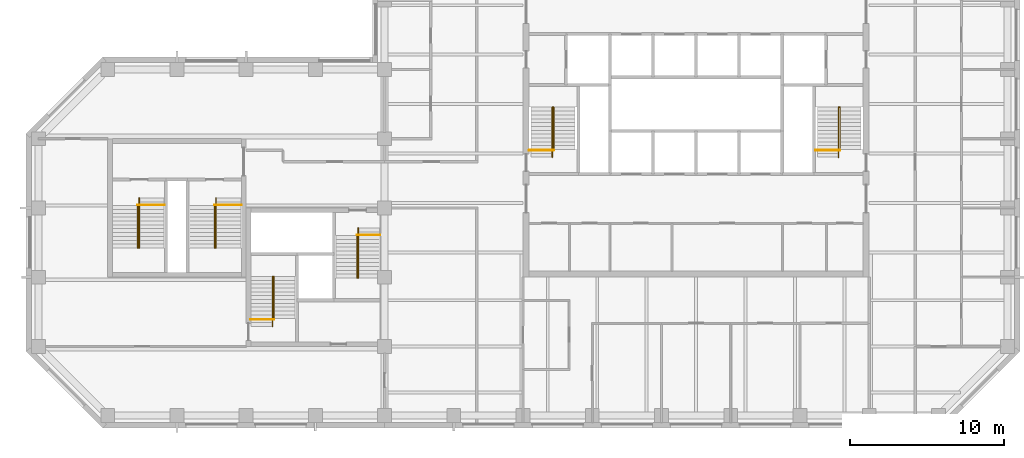
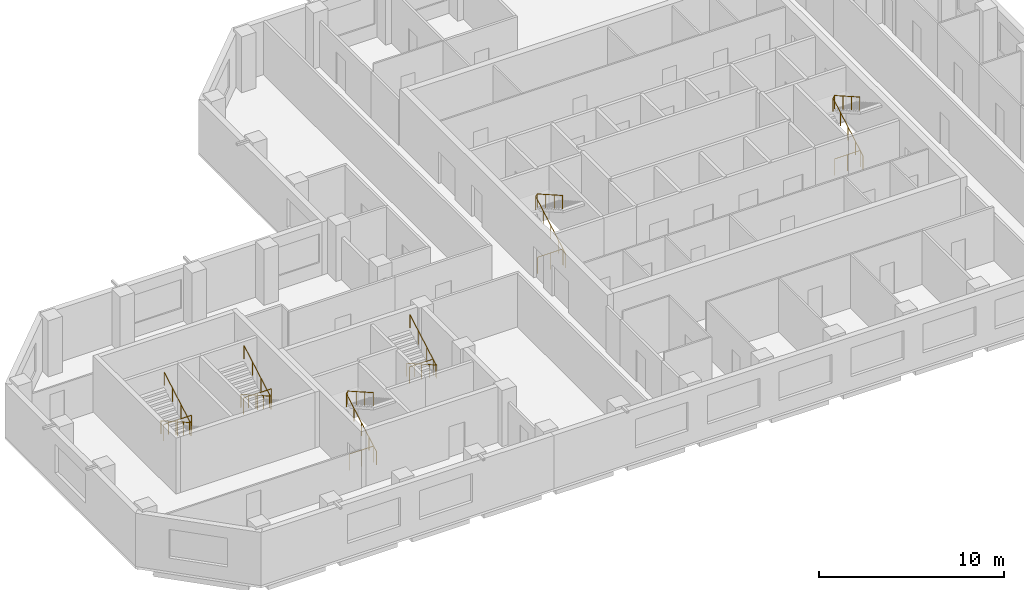
# One storey, part 9 of 9: 12 railings.
"""IFC4 building model written with IfcOpenShell, lengths in metres."""

from ifc_helpers import new_model, si_unit, direction, frame, origin, origin_2d, place, context, subcontext, project, spatial, circle, extrude, material, type_object, element, save


model = new_model("IFC4")

# Units and contexts
model_context = context("Model", 3, precision=1e-05, world=origin(), true_north=direction((0.0, 1.0)))
body_context = subcontext(model_context, "Body", "Model", "MODEL_VIEW")
ifc_project = project(units=[si_unit("LENGTHUNIT", "METRE"), si_unit("AREAUNIT", "SQUARE_METRE"), si_unit("VOLUMEUNIT", "CUBIC_METRE"), si_unit("PLANEANGLEUNIT", "RADIAN"), si_unit("MASSUNIT", "GRAM", prefix="KILO")], contexts=[model_context])

# Site, building, storey
site_placement = place(None, origin())
site = spatial("IfcSite", under=ifc_project, at=site_placement, CompositionType="ELEMENT")
building_placement = place(site_placement, origin())
building = spatial("IfcBuilding", under=site, at=building_placement, Name="Quoin Convention Tower", CompositionType="ELEMENT")
storey_placement = place(building_placement, frame((0.0, 0.0, 199.5)))
storey = spatial("IfcBuildingStorey", under=building, at=storey_placement, Name="L52", CompositionType="ELEMENT", Elevation=199.5)

# Railings
ifc_material = material(Name="Stainless steel", Category="steel")
railing_type_1 = type_object("IfcRailingType", Name="Stair handrail 900", PredefinedType="HANDRAIL", material=ifc_material)
railing_1_placement = place(storey_placement, frame((46.905029296875, 57.300048828125, 0.142333984375)))
element("IfcRailing", 1, at=railing_1_placement, inside=storey, type_object=railing_type_1, Name="SD1 handrail 1", PredefinedType="HANDRAIL", context=body_context, shape_type="SweptSolid", body=[
    extrude(circle(Radius=0.02392578125, at=origin_2d()), frame((0.0, 0.0, 0.8759765625), z_axis=(0.0, 0.869081571614, 0.494668800189), x_axis=(-1.0, 0.0, 0.0)), (0.0, 0.0, 1.0), 3.739501953125),
    extrude(circle(Radius=0.02392578125, at=origin_2d()), frame((0.0, 3.25, 2.7255859375), z_axis=(0.53481069233, 0.0, 0.844971906852), x_axis=(0.0, 1.0, 0.0)), (0.0, 0.0, 1.0), 0.16845703125),
    extrude(circle(Radius=0.02392578125, at=origin_2d()), frame((0.090087890625, 3.25, 2.8681640625), z_axis=(0.0, -0.869058607571, 0.494709143443), x_axis=(1.0, 0.0, 0.0)), (0.0, 0.0, 1.0), 3.164306640625),
    extrude(circle(Radius=0.02099609375, at=origin_2d()), origin(), (0.0, 0.0, 1.0), 0.851806640625),
    extrude(circle(Radius=0.02099609375, at=origin_2d()), frame((0.0, 0.8125, 0.46240234375)), (0.0, 0.0, 1.0), 0.851806640625),
    extrude(circle(Radius=0.02099609375, at=origin_2d()), frame((0.0, 1.625, 0.9248046875)), (0.0, 0.0, 1.0), 0.851806640625),
    extrude(circle(Radius=0.02099609375, at=origin_2d()), frame((0.0, 2.4375, 1.387451171875)), (0.0, 0.0, 1.0), 0.851806640625),
    extrude(circle(Radius=0.02099609375, at=origin_2d()), frame((0.0, 3.25, 1.849853515625)), (0.0, 0.0, 1.0), 0.851806640625),
    extrude(circle(Radius=0.02099609375, at=origin_2d()), frame((0.090087890625, 3.25, 1.9921875)), (0.0, 0.0, 1.0), 0.851806640625),
    extrude(circle(Radius=0.02099609375, at=origin_2d()), frame((0.090087890625, 2.333251953125, 2.513916015625)), (0.0, 0.0, 1.0), 0.851806640625),
    extrude(circle(Radius=0.02099609375, at=origin_2d()), frame((0.090087890625, 1.416748046875, 3.035888671875)), (0.0, 0.0, 1.0), 0.851806640625),
    extrude(circle(Radius=0.02099609375, at=origin_2d()), frame((0.090087890625, 0.5, 3.5576171875)), (0.0, 0.0, 1.0), 0.851806640625),
])
railing_2_placement = place(storey_placement, frame((65.5048828125, 57.300048828125, 0.142333984375)))
element("IfcRailing", 2, at=railing_2_placement, inside=storey, type_object=railing_type_1, Name="SD2 handrail 1", PredefinedType="HANDRAIL", context=body_context, shape_type="SweptSolid", body=[
    extrude(circle(Radius=0.02392578125, at=origin_2d()), frame((0.0, 0.0, 0.8759765625), z_axis=(0.0, 0.869081571614, 0.494668800189), x_axis=(-1.0, 0.0, 0.0)), (0.0, 0.0, 1.0), 3.739501953125),
    extrude(circle(Radius=0.02392578125, at=origin_2d()), frame((0.0, 3.25, 2.7255859375), z_axis=(0.53481069233, 0.0, 0.844971906852), x_axis=(0.0, 1.0, 0.0)), (0.0, 0.0, 1.0), 0.16845703125),
    extrude(circle(Radius=0.02392578125, at=origin_2d()), frame((0.090087890625, 3.25, 2.8681640625), z_axis=(0.0, -0.869058607571, 0.494709143443), x_axis=(1.0, 0.0, 0.0)), (0.0, 0.0, 1.0), 3.164306640625),
    extrude(circle(Radius=0.02099609375, at=origin_2d()), origin(), (0.0, 0.0, 1.0), 0.851806640625),
    extrude(circle(Radius=0.02099609375, at=origin_2d()), frame((0.0, 0.8125, 0.46240234375)), (0.0, 0.0, 1.0), 0.851806640625),
    extrude(circle(Radius=0.02099609375, at=origin_2d()), frame((0.0, 1.625, 0.9248046875)), (0.0, 0.0, 1.0), 0.851806640625),
    extrude(circle(Radius=0.02099609375, at=origin_2d()), frame((0.0, 2.4375, 1.387451171875)), (0.0, 0.0, 1.0), 0.851806640625),
    extrude(circle(Radius=0.02099609375, at=origin_2d()), frame((0.0, 3.25, 1.849853515625)), (0.0, 0.0, 1.0), 0.851806640625),
    extrude(circle(Radius=0.02099609375, at=origin_2d()), frame((0.090087890625, 3.25, 1.9921875)), (0.0, 0.0, 1.0), 0.851806640625),
    extrude(circle(Radius=0.02099609375, at=origin_2d()), frame((0.090087890625, 2.333251953125, 2.513916015625)), (0.0, 0.0, 1.0), 0.851806640625),
    extrude(circle(Radius=0.02099609375, at=origin_2d()), frame((0.090087890625, 1.416748046875, 3.035888671875)), (0.0, 0.0, 1.0), 0.851806640625),
    extrude(circle(Radius=0.02099609375, at=origin_2d()), frame((0.090087890625, 0.5, 3.5576171875)), (0.0, 0.0, 1.0), 0.851806640625),
])
railing_3_placement = place(storey_placement, frame((28.705078125, 46.300048828125, 0.142333984375)))
element("IfcRailing", 3, at=railing_3_placement, inside=storey, type_object=railing_type_1, Name="SD3 handrail 1", PredefinedType="HANDRAIL", context=body_context, shape_type="SweptSolid", body=[
    extrude(circle(Radius=0.02392578125, at=origin_2d()), frame((0.0, 0.0, 0.8759765625), z_axis=(0.0, 0.869081571614, 0.494668800189), x_axis=(-1.0, 0.0, 0.0)), (0.0, 0.0, 1.0), 3.739501953125),
    extrude(circle(Radius=0.02392578125, at=origin_2d()), frame((0.0, 3.25, 2.7255859375), z_axis=(0.533774684331, 0.0, 0.845626741753), x_axis=(0.0, 1.0, 0.0)), (0.0, 0.0, 1.0), 0.168212890625),
    extrude(circle(Radius=0.02392578125, at=origin_2d()), frame((0.08984375, 3.25, 2.8681640625), z_axis=(0.0, -0.869058607571, 0.494709143443), x_axis=(1.0, 0.0, 0.0)), (0.0, 0.0, 1.0), 3.164306640625),
    extrude(circle(Radius=0.02099609375, at=origin_2d()), origin(), (0.0, 0.0, 1.0), 0.851806640625),
    extrude(circle(Radius=0.02099609375, at=origin_2d()), frame((0.0, 0.8125, 0.46240234375)), (0.0, 0.0, 1.0), 0.851806640625),
    extrude(circle(Radius=0.02099609375, at=origin_2d()), frame((0.0, 1.625, 0.9248046875)), (0.0, 0.0, 1.0), 0.851806640625),
    extrude(circle(Radius=0.02099609375, at=origin_2d()), frame((0.0, 2.4375, 1.387451171875)), (0.0, 0.0, 1.0), 0.851806640625),
    extrude(circle(Radius=0.02099609375, at=origin_2d()), frame((0.0, 3.25, 1.849853515625)), (0.0, 0.0, 1.0), 0.851806640625),
    extrude(circle(Radius=0.02099609375, at=origin_2d()), frame((0.08984375, 3.25, 1.9921875)), (0.0, 0.0, 1.0), 0.851806640625),
    extrude(circle(Radius=0.02099609375, at=origin_2d()), frame((0.08984375, 2.333251953125, 2.513916015625)), (0.0, 0.0, 1.0), 0.851806640625),
    extrude(circle(Radius=0.02099609375, at=origin_2d()), frame((0.08984375, 1.416748046875, 3.035888671875)), (0.0, 0.0, 1.0), 0.851806640625),
    extrude(circle(Radius=0.02099609375, at=origin_2d()), frame((0.08984375, 0.5, 3.5576171875)), (0.0, 0.0, 1.0), 0.851806640625),
])
railing_4_placement = place(storey_placement, frame((34.294921875, 52.699951171875, 0.142333984375)))
element("IfcRailing", 4, at=railing_4_placement, inside=storey, type_object=railing_type_1, Name="SD4 handrail 1", PredefinedType="HANDRAIL", context=body_context, shape_type="SweptSolid", body=[
    extrude(circle(Radius=0.02392578125, at=origin_2d()), frame((0.0, 0.0, 0.8759765625), z_axis=(0.0, -0.869081571614, 0.494668800189), x_axis=(1.0, 0.0, 0.0)), (0.0, 0.0, 1.0), 3.739501953125),
    extrude(circle(Radius=0.02392578125, at=origin_2d()), frame((0.0, -3.25, 2.7255859375), z_axis=(-0.533774684331, 0.0, 0.845626741753), x_axis=(0.0, -1.0, 0.0)), (0.0, 0.0, 1.0), 0.168212890625),
    extrude(circle(Radius=0.02392578125, at=origin_2d()), frame((-0.08984375, -3.25, 2.8681640625), z_axis=(0.0, 0.869058607571, 0.494709143443), x_axis=(-1.0, 0.0, 0.0)), (0.0, 0.0, 1.0), 3.164306640625),
    extrude(circle(Radius=0.02099609375, at=origin_2d()), origin(), (0.0, 0.0, 1.0), 0.851806640625),
    extrude(circle(Radius=0.02099609375, at=origin_2d()), frame((0.0, -0.8125, 0.46240234375)), (0.0, 0.0, 1.0), 0.851806640625),
    extrude(circle(Radius=0.02099609375, at=origin_2d()), frame((0.0, -1.625, 0.9248046875)), (0.0, 0.0, 1.0), 0.851806640625),
    extrude(circle(Radius=0.02099609375, at=origin_2d()), frame((0.0, -2.4375, 1.387451171875)), (0.0, 0.0, 1.0), 0.851806640625),
    extrude(circle(Radius=0.02099609375, at=origin_2d()), frame((0.0, -3.25, 1.849853515625)), (0.0, 0.0, 1.0), 0.851806640625),
    extrude(circle(Radius=0.02099609375, at=origin_2d()), frame((-0.08984375, -3.25, 1.9921875)), (0.0, 0.0, 1.0), 0.851806640625),
    extrude(circle(Radius=0.02099609375, at=origin_2d()), frame((-0.08984375, -2.333251953125, 2.513916015625)), (0.0, 0.0, 1.0), 0.851806640625),
    extrude(circle(Radius=0.02099609375, at=origin_2d()), frame((-0.08984375, -1.416748046875, 3.035888671875)), (0.0, 0.0, 1.0), 0.851806640625),
    extrude(circle(Radius=0.02099609375, at=origin_2d()), frame((-0.08984375, -0.5, 3.5576171875)), (0.0, 0.0, 1.0), 0.851806640625),
])
railing_5_placement = place(storey_placement, frame((20.044921875, 54.64990234375, 0.142333984375)))
element("IfcRailing", 5, at=railing_5_placement, inside=storey, type_object=railing_type_1, Name="SD11 handrail 1", PredefinedType="HANDRAIL", context=body_context, shape_type="SweptSolid", body=[
    extrude(circle(Radius=0.02392578125, at=origin_2d()), frame((0.0, 0.0, 0.8759765625), z_axis=(0.0, -0.869081571614, 0.494668800189), x_axis=(1.0, 0.0, 0.0)), (0.0, 0.0, 1.0), 3.739501953125),
    extrude(circle(Radius=0.02392578125, at=origin_2d()), frame((0.0, -3.25, 2.7255859375), z_axis=(-0.533774684331, 0.0, 0.845626741753), x_axis=(0.0, -1.0, 0.0)), (0.0, 0.0, 1.0), 0.168212890625),
    extrude(circle(Radius=0.02392578125, at=origin_2d()), frame((-0.08984375, -3.25, 2.8681640625), z_axis=(0.0, 0.869058607571, 0.494709143443), x_axis=(-1.0, 0.0, 0.0)), (0.0, 0.0, 1.0), 3.164306640625),
    extrude(circle(Radius=0.02099609375, at=origin_2d()), origin(), (0.0, 0.0, 1.0), 0.851806640625),
    extrude(circle(Radius=0.02099609375, at=origin_2d()), frame((0.0, -0.8125, 0.46240234375)), (0.0, 0.0, 1.0), 0.851806640625),
    extrude(circle(Radius=0.02099609375, at=origin_2d()), frame((0.0, -1.625, 0.9248046875)), (0.0, 0.0, 1.0), 0.851806640625),
    extrude(circle(Radius=0.02099609375, at=origin_2d()), frame((0.0, -2.4375, 1.387451171875)), (0.0, 0.0, 1.0), 0.851806640625),
    extrude(circle(Radius=0.02099609375, at=origin_2d()), frame((0.0, -3.25, 1.849853515625)), (0.0, 0.0, 1.0), 0.851806640625),
    extrude(circle(Radius=0.02099609375, at=origin_2d()), frame((-0.08984375, -3.25, 1.9921875)), (0.0, 0.0, 1.0), 0.851806640625),
    extrude(circle(Radius=0.02099609375, at=origin_2d()), frame((-0.08984375, -2.333251953125, 2.513916015625)), (0.0, 0.0, 1.0), 0.851806640625),
    extrude(circle(Radius=0.02099609375, at=origin_2d()), frame((-0.08984375, -1.416748046875, 3.035888671875)), (0.0, 0.0, 1.0), 0.851806640625),
    extrude(circle(Radius=0.02099609375, at=origin_2d()), frame((-0.08984375, -0.5, 3.5576171875)), (0.0, 0.0, 1.0), 0.851806640625),
])
railing_6_placement = place(storey_placement, frame((25.044921875, 54.64990234375, 0.142333984375)))
element("IfcRailing", 6, at=railing_6_placement, inside=storey, type_object=railing_type_1, Name="SD12 handrail 1", PredefinedType="HANDRAIL", context=body_context, shape_type="SweptSolid", body=[
    extrude(circle(Radius=0.02392578125, at=origin_2d()), frame((0.0, 0.0, 0.8759765625), z_axis=(0.0, -0.869081571614, 0.494668800189), x_axis=(1.0, 0.0, 0.0)), (0.0, 0.0, 1.0), 3.739501953125),
    extrude(circle(Radius=0.02392578125, at=origin_2d()), frame((0.0, -3.25, 2.7255859375), z_axis=(-0.533774684331, 0.0, 0.845626741753), x_axis=(0.0, -1.0, 0.0)), (0.0, 0.0, 1.0), 0.168212890625),
    extrude(circle(Radius=0.02392578125, at=origin_2d()), frame((-0.08984375, -3.25, 2.8681640625), z_axis=(0.0, 0.869058607571, 0.494709143443), x_axis=(-1.0, 0.0, 0.0)), (0.0, 0.0, 1.0), 3.164306640625),
    extrude(circle(Radius=0.02099609375, at=origin_2d()), origin(), (0.0, 0.0, 1.0), 0.851806640625),
    extrude(circle(Radius=0.02099609375, at=origin_2d()), frame((0.0, -0.8125, 0.46240234375)), (0.0, 0.0, 1.0), 0.851806640625),
    extrude(circle(Radius=0.02099609375, at=origin_2d()), frame((0.0, -1.625, 0.9248046875)), (0.0, 0.0, 1.0), 0.851806640625),
    extrude(circle(Radius=0.02099609375, at=origin_2d()), frame((0.0, -2.4375, 1.387451171875)), (0.0, 0.0, 1.0), 0.851806640625),
    extrude(circle(Radius=0.02099609375, at=origin_2d()), frame((0.0, -3.25, 1.849853515625)), (0.0, 0.0, 1.0), 0.851806640625),
    extrude(circle(Radius=0.02099609375, at=origin_2d()), frame((-0.08984375, -3.25, 1.9921875)), (0.0, 0.0, 1.0), 0.851806640625),
    extrude(circle(Radius=0.02099609375, at=origin_2d()), frame((-0.08984375, -2.333251953125, 2.513916015625)), (0.0, 0.0, 1.0), 0.851806640625),
    extrude(circle(Radius=0.02099609375, at=origin_2d()), frame((-0.08984375, -1.416748046875, 3.035888671875)), (0.0, 0.0, 1.0), 0.851806640625),
    extrude(circle(Radius=0.02099609375, at=origin_2d()), frame((-0.08984375, -0.5, 3.5576171875)), (0.0, 0.0, 1.0), 0.851806640625),
])
railing_type_2 = type_object("IfcRailingType", Name="Stair top guard 1100", PredefinedType="GUARDRAIL", material=ifc_material)
railing_7_placement = place(storey_placement, frame((45.39990234375, 57.75, 0.0)))
element("IfcRailing", 7, at=railing_7_placement, inside=storey, type_object=railing_type_2, Name="SD1 top guard", PredefinedType="GUARDRAIL", context=body_context, shape_type="SweptSolid", body=[
    extrude(circle(Radius=0.02392578125, at=origin_2d()), frame((0.0, 0.0, 1.076171875), z_axis=(1.0, 0.0, 0.0), x_axis=(0.0, 1.0, 0.0)), (0.0, 0.0, 1.0), 1.59521484375),
    extrude(circle(Radius=0.02099609375, at=origin_2d()), origin(), (0.0, 0.0, 1.0), 1.052001953125),
    extrude(circle(Radius=0.02099609375, at=origin_2d()), frame((0.797607421875, 0.0, 0.0)), (0.0, 0.0, 1.0), 1.052001953125),
    extrude(circle(Radius=0.02099609375, at=origin_2d()), frame((1.59521484375, 0.0, 0.0)), (0.0, 0.0, 1.0), 1.052001953125),
])
railing_8_placement = place(storey_placement, frame((64.0, 57.75, 0.0)))
element("IfcRailing", 8, at=railing_8_placement, inside=storey, type_object=railing_type_2, Name="SD2 top guard", PredefinedType="GUARDRAIL", context=body_context, shape_type="SweptSolid", body=[
    extrude(circle(Radius=0.02392578125, at=origin_2d()), frame((0.0, 0.0, 1.076171875), z_axis=(1.0, 0.0, 0.0), x_axis=(0.0, 1.0, 0.0)), (0.0, 0.0, 1.0), 1.594970703125),
    extrude(circle(Radius=0.02099609375, at=origin_2d()), origin(), (0.0, 0.0, 1.0), 1.052001953125),
    extrude(circle(Radius=0.02099609375, at=origin_2d()), frame((0.79736328125, 0.0, 0.0)), (0.0, 0.0, 1.0), 1.052001953125),
    extrude(circle(Radius=0.02099609375, at=origin_2d()), frame((1.594970703125, 0.0, 0.0)), (0.0, 0.0, 1.0), 1.052001953125),
])
railing_9_placement = place(storey_placement, frame((27.300048828125, 46.75, 0.0)))
element("IfcRailing", 9, at=railing_9_placement, inside=storey, type_object=railing_type_2, Name="SD3 top guard", PredefinedType="GUARDRAIL", context=body_context, shape_type="SweptSolid", body=[
    extrude(circle(Radius=0.02392578125, at=origin_2d()), frame((0.0, 0.0, 1.076171875), z_axis=(1.0, 0.0, 0.0), x_axis=(0.0, 1.0, 0.0)), (0.0, 0.0, 1.0), 1.494873046875),
    extrude(circle(Radius=0.02099609375, at=origin_2d()), origin(), (0.0, 0.0, 1.0), 1.052001953125),
    extrude(circle(Radius=0.02099609375, at=origin_2d()), frame((0.74755859375, 0.0, 0.0)), (0.0, 0.0, 1.0), 1.052001953125),
    extrude(circle(Radius=0.02099609375, at=origin_2d()), frame((1.494873046875, 0.0, 0.0)), (0.0, 0.0, 1.0), 1.052001953125),
])
railing_10_placement = place(storey_placement, frame((35.699951171875, 52.25, 0.0)))
element("IfcRailing", 10, at=railing_10_placement, inside=storey, type_object=railing_type_2, Name="SD4 top guard", PredefinedType="GUARDRAIL", context=body_context, shape_type="SweptSolid", body=[
    extrude(circle(Radius=0.02392578125, at=origin_2d()), frame((0.0, 0.0, 1.076171875), z_axis=(-1.0, 0.0, 0.0), x_axis=(0.0, -1.0, 0.0)), (0.0, 0.0, 1.0), 1.494873046875),
    extrude(circle(Radius=0.02099609375, at=origin_2d()), origin(), (0.0, 0.0, 1.0), 1.052001953125),
    extrude(circle(Radius=0.02099609375, at=origin_2d()), frame((-0.74755859375, 0.0, 0.0)), (0.0, 0.0, 1.0), 1.052001953125),
    extrude(circle(Radius=0.02099609375, at=origin_2d()), frame((-1.494873046875, 0.0, 0.0)), (0.0, 0.0, 1.0), 1.052001953125),
])
for number, where, name in (
    (11, (21.699951171875, 54.199951171875, 0.0), "SD11 top guard"),
    (12, (26.699951171875, 54.199951171875, 0.0), "SD12 top guard"),
):
    element("IfcRailing", number, at=place(storey_placement, frame(where)), inside=storey, type_object=railing_type_2, Name=name, PredefinedType="GUARDRAIL", context=body_context, shape_type="SweptSolid", body=[
        extrude(circle(Radius=0.02392578125, at=origin_2d()), frame((0.0, 0.0, 1.076171875), z_axis=(-1.0, 0.0, 0.0), x_axis=(0.0, -1.0, 0.0)), (0.0, 0.0, 1.0), 1.744873046875),
        extrude(circle(Radius=0.02099609375, at=origin_2d()), origin(), (0.0, 0.0, 1.0), 1.052001953125),
        extrude(circle(Radius=0.02099609375, at=origin_2d()), frame((-0.87255859375, 0.0, 0.0)), (0.0, 0.0, 1.0), 1.052001953125),
        extrude(circle(Radius=0.02099609375, at=origin_2d()), frame((-1.744873046875, 0.0, 0.0)), (0.0, 0.0, 1.0), 1.052001953125),
    ])

save(model, "model.ifc")
